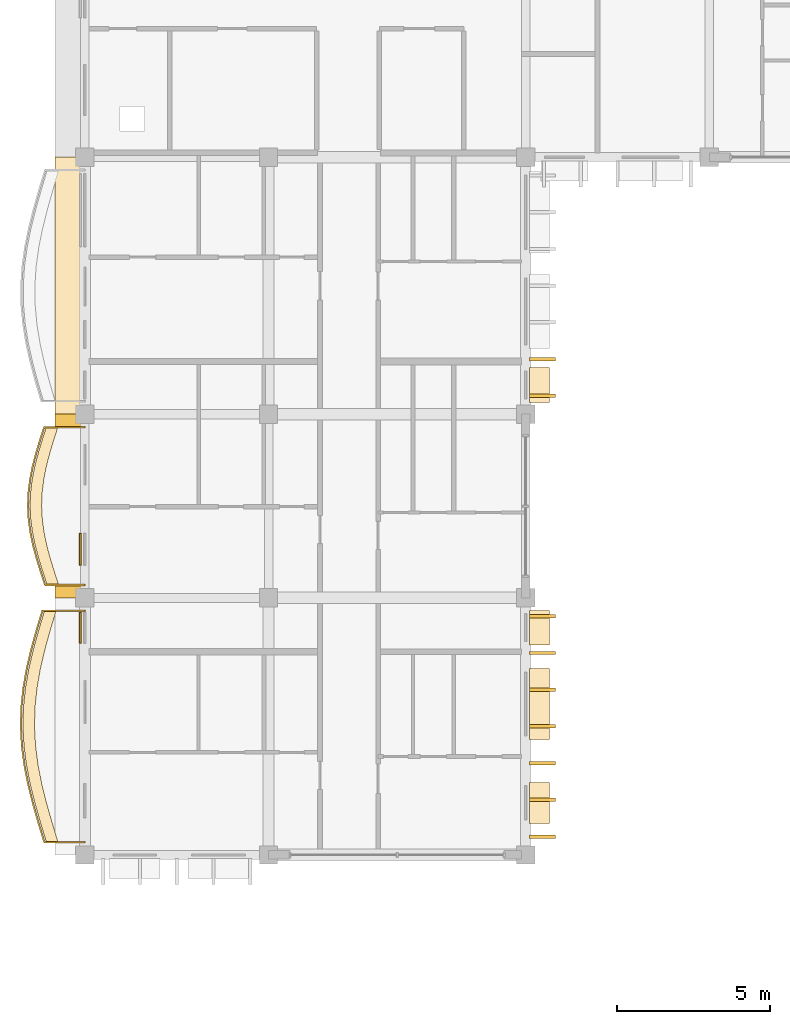
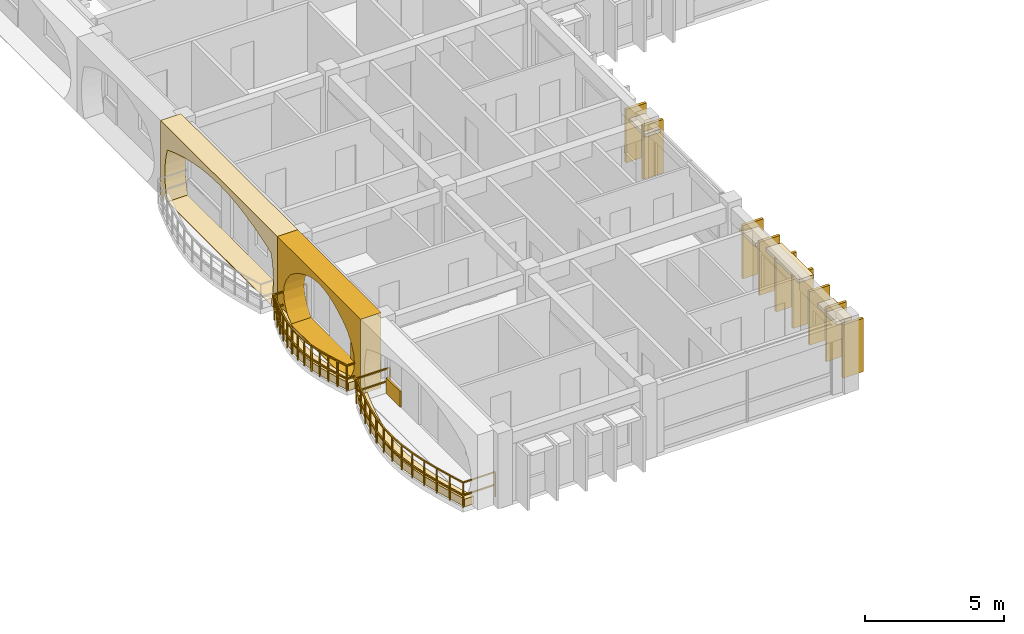
# One storey, part 42 of 54: 19 coverings, 2 railings.
"""IFC4 building model written with IfcOpenShell, lengths in metres."""

from ifc_helpers import new_model, si_unit, direction, frame, origin, origin_2d, place, context, subcontext, project, spatial, polyline, rectangle, outline, extrude, material, layer, layer_set, type_object, element, save


model = new_model("IFC4")

# Units and contexts
model_context = context("Model", 3, precision=1e-05, world=origin(), true_north=direction((0.0, 1.0)))
body_context = subcontext(model_context, "Body", "Model", "MODEL_VIEW")
ifc_project = project(units=[si_unit("LENGTHUNIT", "METRE"), si_unit("AREAUNIT", "SQUARE_METRE"), si_unit("VOLUMEUNIT", "CUBIC_METRE"), si_unit("PLANEANGLEUNIT", "RADIAN"), si_unit("MASSUNIT", "GRAM", prefix="KILO"), si_unit("THERMODYNAMICTEMPERATUREUNIT", "KELVIN")], contexts=[model_context])

# Site, building, storey
site_placement = place(None, origin())
site = spatial("IfcSite", under=ifc_project, at=site_placement, CompositionType="ELEMENT")
building_placement = place(site_placement, origin())
building = spatial("IfcBuilding", under=site, at=building_placement, Name="Thalorik Housing Commons", CompositionType="ELEMENT")
storey_placement = place(building_placement, frame((0.0, 0.0, 31.199951171875)))
storey = spatial("IfcBuildingStorey", under=building, at=storey_placement, Name="L09", CompositionType="ELEMENT", Elevation=31.199951171875)

# Coverings
ifc_material_1 = material(Name="Cobalt blue glazed ceramic facade tile panel", Category="masonry")
ifc_layer_1 = layer(ifc_material_1, 0.06005859375, Name="Cobalt blue glazed ceramic facade tile panel", Category="masonry")
ifc_layer_set_1 = layer_set([ifc_layer_1], Name="Cobalt blue glazed ceramic facade tile panel")
covering_type_1 = type_object("IfcCoveringType", Name="ARC-CLD-BLU-60", PredefinedType="CLADDING", material=ifc_layer_set_1)
covering_1_placement = place(storey_placement, frame((8.242431640625, 96.385009765625, 0.05029296875), z_axis=(0.0, 0.0, 1.0), x_axis=(0.0, -1.0, 0.0)))
element("IfcCovering", 1, at=covering_1_placement, inside=storey, type_object=covering_type_1, Name="L09 De Stijl Recessed Window Spandrel 964", PredefinedType="CLADDING", context=body_context, shape_type="SweptSolid", body=[
    extrude(rectangle(XDim=1.050048828125, YDim=0.06005859375, at=origin_2d()), origin(), (0.0, 0.0, 1.0), 0.699951171875),
])
ifc_material_2 = material(Name="Precast concrete C40/50", Category="concrete")
ifc_layer_2 = layer(ifc_material_2, 0.85009765625, Name="Precast concrete C40/50", Category="concrete")
ifc_layer_set_2 = layer_set([ifc_layer_2], Name="Precast concrete C40/50")
covering_type_2 = type_object("IfcCoveringType", Name="ARC-CLD-CUSH-850", PredefinedType="CLADDING", material=ifc_layer_set_2)
covering_2_placement = place(storey_placement, frame((7.8525390625, 105.0, 0.0), z_axis=(0.0, 0.0, 1.0), x_axis=(0.0, -1.0, 0.0)))
element("IfcCovering", 2, at=covering_2_placement, inside=storey, type_object=covering_type_2, Name="L09 White Precast Curved Cushion Bay Frame 961", PredefinedType="CLADDING", context=body_context, shape_type="SweptSolid", body=[
    extrude(outline(polyline([(-4.199951171875, 0.0), (4.199951171875, 0.0), (4.199951171875, 3.300048828125), (-4.199951171875, 3.300048828125), (-4.199951171875, 0.0)]), holes=[polyline([(3.7451171875, 0.02490234375), (3.841064453125, 0.404296875), (3.898681640625, 0.783203125), (3.91796875, 1.16259765625), (3.898681640625, 1.541748046875), (3.841064453125, 1.9208984375), (3.7451171875, 2.300048828125), (3.123779296875, 2.525390625), (2.50244140625, 2.7021484375), (1.88134765625, 2.845458984375), (1.260009765625, 2.951904296875), (0.638671875, 3.017822265625), (0.017578125, 3.0400390625), (-0.603759765625, 3.017822265625), (-1.22509765625, 2.951904296875), (-1.84619140625, 2.845458984375), (-2.467529296875, 2.7021484375), (-3.0888671875, 2.525390625), (-3.7099609375, 2.300048828125), (-3.8134765625, 1.9208984375), (-3.87548828125, 1.541748046875), (-3.896240234375, 1.16259765625), (-3.87548828125, 0.783203125), (-3.8134765625, 0.404296875), (-3.7099609375, 0.02490234375), (3.7451171875, 0.02490234375)])]), frame((0.0, 0.425048828125, 0.0), z_axis=(0.0, -1.0, 0.0), x_axis=(1.0, 0.0, 0.0)), (0.0, 0.0, 1.0), 0.85009765625),
])
covering_3_placement = place(storey_placement, frame((7.8525390625, 97.800048828125, 0.0), z_axis=(0.0, 0.0, 1.0), x_axis=(0.0, -1.0, 0.0)))
element("IfcCovering", 3, at=covering_3_placement, inside=storey, type_object=covering_type_2, Name="L09 White Precast Curved Cushion Bay Frame 963", PredefinedType="CLADDING", context=body_context, shape_type="SweptSolid", body=[
    extrude(outline(polyline([(-3.0, 0.0), (3.0, 0.0), (3.0, 3.300048828125), (-3.0, 3.300048828125), (-3.0, 0.0)]), holes=[polyline([(2.0400390625, 0.02490234375), (2.3232421875, 0.387451171875), (2.493408203125, 0.75), (2.550048828125, 1.112548828125), (2.493408203125, 1.47509765625), (2.3232421875, 1.83740234375), (2.0400390625, 2.199951171875), (1.69970703125, 2.455810546875), (1.359130859375, 2.656494140625), (1.018798828125, 2.819091796875), (0.67822265625, 2.940185546875), (0.337890625, 3.014892578125), (-0.00244140625, 3.0400390625), (-0.343017578125, 3.014892578125), (-0.683349609375, 2.940185546875), (-1.023681640625, 2.819091796875), (-1.3642578125, 2.656494140625), (-1.70458984375, 2.455810546875), (-2.044921875, 2.199951171875), (-2.32568359375, 1.83740234375), (-2.493896484375, 1.47509765625), (-2.550048828125, 1.112548828125), (-2.493896484375, 0.75), (-2.32568359375, 0.387451171875), (-2.044921875, 0.02490234375), (2.0400390625, 0.02490234375)])]), frame((0.0, 0.425048828125, 0.0), z_axis=(0.0, -1.0, 0.0), x_axis=(1.0, 0.0, 0.0)), (0.0, 0.0, 1.0), 0.85009765625),
])
ifc_layer_3 = layer(ifc_material_2, 0.85009765625, Name="Precast concrete C40/50", Category="concrete")
ifc_layer_set_3 = layer_set([ifc_layer_3], Name="Precast concrete C40/50")
covering_type_3 = type_object("IfcCoveringType", Name="ARC-CLD-FIN-850", PredefinedType="CLADDING", material=ifc_layer_set_3)
for number, where, z_axis, x_axis, name in (
    (4, (23.347412109375, 87.0, 0.0400390625), (0.0, 0.0, 1.0), (0.0, 1.0, 0.0), "L09 Courtyard Precast Vertical Brise-Soleil Fin 974"),
    (5, (23.347412109375, 88.199951171875, 0.0400390625), (0.0, 0.0, 1.0), (0.0, 1.0, 0.0), "L09 Courtyard Precast Vertical Brise-Soleil Fin 975"),
    (6, (23.347412109375, 89.39990234375, 0.0400390625), (0.0, 0.0, 1.0), (0.0, 1.0, 0.0), "L09 Courtyard Precast Vertical Brise-Soleil Fin 976"),
    (7, (23.347412109375, 90.60009765625, 0.0400390625), (0.0, 0.0, 1.0), (0.0, 1.0, 0.0), "L09 Courtyard Precast Vertical Brise-Soleil Fin 977"),
    (8, (23.347412109375, 91.800048828125, 0.0400390625), (0.0, 0.0, 1.0), (0.0, 1.0, 0.0), "L09 Courtyard Precast Vertical Brise-Soleil Fin 978"),
    (9, (23.347412109375, 93.0, 0.0400390625), (0.0, 0.0, 1.0), (0.0, 1.0, 0.0), "L09 Courtyard Precast Vertical Brise-Soleil Fin 979"),
    (10, (23.347412109375, 94.199951171875, 0.0400390625), (0.0, 0.0, 1.0), (0.0, 1.0, 0.0), "L09 Courtyard Precast Vertical Brise-Soleil Fin 980"),
    (11, (23.347412109375, 101.39990234375, 0.0400390625), (0.0, 0.0, 1.0), (0.0, 1.0, 0.0), "L09 Courtyard Precast Vertical Brise-Soleil Fin 984"),
    (12, (23.347412109375, 102.60009765625, 0.0400390625), (0.0, 0.0, 1.0), (0.0, 1.0, 0.0), "L09 Courtyard Precast Vertical Brise-Soleil Fin 985"),
):
    element("IfcCovering", number, at=place(storey_placement, frame(where, z_axis=z_axis, x_axis=x_axis)), inside=storey, type_object=covering_type_3, Name=name, PredefinedType="CLADDING", context=body_context, shape_type="SweptSolid", body=[
        extrude(rectangle(XDim=0.110107421875, YDim=0.85009765625, at=origin_2d()), origin(), (0.0, 0.0, 1.0), 2.344970703125),
    ])
ifc_layer_4 = layer(ifc_material_2, 0.64990234375, Name="Precast concrete C40/50", Category="concrete")
ifc_layer_set_4 = layer_set([ifc_layer_4], Name="Precast concrete C40/50")
covering_type_4 = type_object("IfcCoveringType", Name="ARC-CLD-HOOD-650", PredefinedType="CLADDING", material=ifc_layer_set_4)
covering_4_placement = place(storey_placement, frame((23.24755859375, 88.104248046875, 2.09033203125), z_axis=(0.0, 0.0, 1.0), x_axis=(0.0, 1.0, 0.0)))
element("IfcCovering", 13, at=covering_4_placement, inside=storey, type_object=covering_type_4, Name="L09 Courtyard Precast Window Sun-Hood 981", PredefinedType="CLADDING", context=body_context, shape_type="SweptSolid", body=[
    extrude(rectangle(XDim=1.340087890625, YDim=0.64990234375, at=origin_2d()), origin(), (0.0, 0.0, 1.0), 0.139892578125),
])
covering_5_placement = place(storey_placement, frame((23.24755859375, 91.3291015625, 2.27490234375), z_axis=(0.0, 0.0, 1.0), x_axis=(0.0, 1.0, 0.0)))
element("IfcCovering", 14, at=covering_5_placement, inside=storey, type_object=covering_type_4, Name="L09 Courtyard Precast Window Sun-Hood 982", PredefinedType="CLADDING", context=body_context, shape_type="SweptSolid", body=[
    extrude(rectangle(XDim=2.320068359375, YDim=0.64990234375, at=origin_2d()), origin(), (0.0, 0.0, 1.0), 0.139892578125),
])
for number, where, z_axis, x_axis, name in (
    (15, (23.24755859375, 93.824951171875, 1.990234375), (0.0, 0.0, 1.0), (0.0, 1.0, 0.0), "L09 Courtyard Precast Window Sun-Hood 983"),
    (16, (23.24755859375, 101.7548828125, 1.990234375), (0.0, 0.0, 1.0), (0.0, 1.0, 0.0), "L09 Courtyard Precast Window Sun-Hood 991"),
):
    element("IfcCovering", number, at=place(storey_placement, frame(where, z_axis=z_axis, x_axis=x_axis)), inside=storey, type_object=covering_type_4, Name=name, PredefinedType="CLADDING", context=body_context, shape_type="SweptSolid", body=[
        extrude(rectangle(XDim=1.139892578125, YDim=0.64990234375, at=origin_2d()), origin(), (0.0, 0.0, 1.0), 0.139892578125),
    ])
ifc_material_3 = material(Name="Mineral ochre architectural terracotta panel", Category="masonry")
ifc_layer_5 = layer(ifc_material_3, 0.06494140625, Name="Mineral ochre architectural terracotta panel", Category="masonry")
ifc_layer_set_5 = layer_set([ifc_layer_5], Name="Mineral ochre architectural terracotta panel")
covering_type_5 = type_object("IfcCoveringType", Name="ARC-CLD-YEL-65", PredefinedType="CLADDING", material=ifc_layer_set_5)
covering_6_placement = place(storey_placement, frame((8.239990234375, 93.824951171875, 0.05029296875), z_axis=(0.0, 0.0, 1.0), x_axis=(0.0, -1.0, 0.0)))
element("IfcCovering", 17, at=covering_6_placement, inside=storey, type_object=covering_type_5, Name="L09 De Stijl Recessed Window Spandrel 966", PredefinedType="CLADDING", context=body_context, shape_type="SweptSolid", body=[
    extrude(rectangle(XDim=1.0, YDim=0.06494140625, at=origin_2d()), origin(), (0.0, 0.0, 1.0), 0.699951171875),
])
ifc_material_4 = material(Name="Planted vegetated substrate and terracotta trough", Category="masonry")
ifc_layer_6 = layer(ifc_material_4, 0.340087890625, Name="Planted vegetated substrate and terracotta trough", Category="masonry")
ifc_layer_set_6 = layer_set([ifc_layer_6], Name="Planted vegetated substrate and terracotta trough")
covering_type_6 = type_object("IfcCoveringType", Name="ARC-COV-PLANTER", PredefinedType="USERDEFINED", material=ifc_layer_set_6)
covering_7_placement = place(storey_placement, origin())
element("IfcCovering", 18, at=covering_7_placement, inside=storey, type_object=covering_type_6, Name="L09 Balcony Slab-Edge Planted Trough 5382", ObjectType="PLANTER", PredefinedType="USERDEFINED", context=body_context, shape_type="SweptSolid", body=[
    extrude(outline(polyline([(7.079345703125, 94.3798828125), (6.889892578125, 93.75), (6.71533203125, 93.1201171875), (6.567626953125, 92.489990234375), (6.456787109375, 91.860107421875), (6.390869140625, 91.22998046875), (6.3740234375, 90.60009765625), (6.40771484375, 89.969970703125), (6.489013671875, 89.340087890625), (6.61279296875, 88.7099609375), (6.770263671875, 88.080078125), (6.950439453125, 87.449951171875), (7.140625, 86.820068359375), (7.520751953125, 86.820068359375), (7.330322265625, 87.449951171875), (7.150390625, 88.080078125), (6.992919921875, 88.7099609375), (6.869140625, 89.340087890625), (6.78759765625, 89.969970703125), (6.754150390625, 90.60009765625), (6.77099609375, 91.22998046875), (6.8369140625, 91.860107421875), (6.947509765625, 92.489990234375), (7.095458984375, 93.1201171875), (7.27001953125, 93.75), (7.459228515625, 94.3798828125), (7.079345703125, 94.3798828125)])), origin(), (0.0, 0.0, 1.0), 0.340087890625),
])
covering_8_placement = place(storey_placement, origin())
element("IfcCovering", 19, at=covering_8_placement, inside=storey, type_object=covering_type_6, Name="L09 Balcony Slab-Edge Planted Trough 5383", ObjectType="PLANTER", PredefinedType="USERDEFINED", context=body_context, shape_type="SweptSolid", body=[
    extrude(outline(polyline([(7.1376953125, 100.3798828125), (6.999755859375, 99.949951171875), (6.87060546875, 99.52001953125), (6.759765625, 99.090087890625), (6.675048828125, 98.659912109375), (6.622802734375, 98.22998046875), (6.60693359375, 97.800048828125), (6.628662109375, 97.3701171875), (6.6865234375, 96.93994140625), (6.7763671875, 96.510009765625), (6.891845703125, 96.080078125), (7.02490234375, 95.64990234375), (7.165771484375, 95.219970703125), (7.5458984375, 95.219970703125), (7.40478515625, 95.64990234375), (7.27197265625, 96.080078125), (7.15625, 96.510009765625), (7.06640625, 96.93994140625), (7.0087890625, 97.3701171875), (6.987060546875, 97.800048828125), (7.0029296875, 98.22998046875), (7.05517578125, 98.659912109375), (7.1396484375, 99.090087890625), (7.250732421875, 99.52001953125), (7.3798828125, 99.949951171875), (7.517822265625, 100.3798828125), (7.1376953125, 100.3798828125)])), origin(), (0.0, 0.0, 1.0), 0.340087890625),
])

# Railings
ifc_material_5 = material(Name="Steel S355", Category="steel")
railing_type_1 = type_object("IfcRailingType", Name="ARC-RL-BAL-112", PredefinedType="BALUSTRADE", material=ifc_material_5)
railing_1_placement = place(storey_placement, frame((8.39990234375, 94.3798828125, 0.0)))
element("IfcRailing", 20, at=railing_1_placement, inside=storey, type_object=railing_type_1, Name="L09 Cushion Balcony Guardrail 66", PredefinedType="BALUSTRADE", context=body_context, shape_type="SweptSolid", body=[
    extrude(rectangle(XDim=0.050048828125, YDim=0.050048828125, at=origin_2d()), frame((0.0, 0.0, 1.09521484375), z_axis=(-1.0, 0.0, 0.0), x_axis=(0.0, -1.0, 0.0)), (0.0, 0.0, 1.0), 1.390625),
    extrude(rectangle(XDim=0.050048828125, YDim=0.050048828125, at=origin_2d()), frame((0.0, 0.0, 0.53515625), z_axis=(-1.0, 0.0, 0.0), x_axis=(0.0, -1.0, 0.0)), (0.0, 0.0, 1.0), 1.390625),
    extrude(rectangle(XDim=0.050048828125, YDim=0.050048828125, at=origin_2d()), frame((-1.390625, 0.0, 1.09521484375), z_axis=(-0.287688427839, -0.957724056546, 0.0), x_axis=(0.957724056546, -0.287688427839, 0.0)), (0.0, 0.0, 1.0), 0.65771484375),
    extrude(rectangle(XDim=0.050048828125, YDim=0.050048828125, at=origin_2d()), frame((-1.390625, 0.0, 0.53515625), z_axis=(-0.287688427839, -0.957724056546, 0.0), x_axis=(0.957724056546, -0.287688427839, 0.0)), (0.0, 0.0, 1.0), 0.65771484375),
    extrude(rectangle(XDim=0.050048828125, YDim=0.050048828125, at=origin_2d()), frame((-1.579833984375, -0.6298828125, 1.09521484375), z_axis=(-0.267065878379, -0.963678274429, 0.0), x_axis=(0.963678274429, -0.267065878379, 0.0)), (0.0, 0.0, 1.0), 0.653564453125),
    extrude(rectangle(XDim=0.050048828125, YDim=0.050048828125, at=origin_2d()), frame((-1.579833984375, -0.6298828125, 0.53515625), z_axis=(-0.267065878379, -0.963678274429, 0.0), x_axis=(0.963678274429, -0.267065878379, 0.0)), (0.0, 0.0, 1.0), 0.653564453125),
    extrude(rectangle(XDim=0.050048828125, YDim=0.050048828125, at=origin_2d()), frame((-1.75439453125, -1.259765625, 1.09521484375), z_axis=(-0.228576787076, -0.973525886872, 0.0), x_axis=(0.973525886872, -0.228576787076, 0.0)), (0.0, 0.0, 1.0), 0.647216796875),
    extrude(rectangle(XDim=0.050048828125, YDim=0.050048828125, at=origin_2d()), frame((-1.75439453125, -1.259765625, 0.53515625), z_axis=(-0.228576787076, -0.973525886872, 0.0), x_axis=(0.973525886872, -0.228576787076, 0.0)), (0.0, 0.0, 1.0), 0.647216796875),
    extrude(rectangle(XDim=0.050048828125, YDim=0.050048828125, at=origin_2d()), frame((-1.90234375, -1.889892578125, 1.09521484375), z_axis=(-0.172935923987, -0.984933077013, 0.0), x_axis=(0.984933077013, -0.172935923987, 0.0)), (0.0, 0.0, 1.0), 0.639404296875),
    extrude(rectangle(XDim=0.050048828125, YDim=0.050048828125, at=origin_2d()), frame((-1.90234375, -1.889892578125, 0.53515625), z_axis=(-0.172935923987, -0.984933077013, 0.0), x_axis=(0.984933077013, -0.172935923987, 0.0)), (0.0, 0.0, 1.0), 0.639404296875),
    extrude(rectangle(XDim=0.050048828125, YDim=0.050048828125, at=origin_2d()), frame((-2.012939453125, -2.519775390625, 1.09521484375), z_axis=(-0.104424024371, -0.994532866794, 0.0), x_axis=(0.994532866794, -0.104424024371, 0.0)), (0.0, 0.0, 1.0), 0.633544921875),
    extrude(rectangle(XDim=0.050048828125, YDim=0.050048828125, at=origin_2d()), frame((-2.012939453125, -2.519775390625, 0.53515625), z_axis=(-0.104424024371, -0.994532866794, 0.0), x_axis=(0.994532866794, -0.104424024371, 0.0)), (0.0, 0.0, 1.0), 0.633544921875),
    extrude(rectangle(XDim=0.050048828125, YDim=0.050048828125, at=origin_2d()), frame((-2.0791015625, -3.14990234375, 1.09521484375), z_axis=(-0.026347439351, -0.999652845962, 0.0), x_axis=(0.999652845962, -0.026347439351, 0.0)), (0.0, 0.0, 1.0), 0.630126953125),
    extrude(rectangle(XDim=0.050048828125, YDim=0.050048828125, at=origin_2d()), frame((-2.0791015625, -3.14990234375, 0.53515625), z_axis=(-0.026347439351, -0.999652845962, 0.0), x_axis=(0.999652845962, -0.026347439351, 0.0)), (0.0, 0.0, 1.0), 0.630126953125),
    extrude(rectangle(XDim=0.050048828125, YDim=0.050048828125, at=origin_2d()), frame((-2.095703125, -3.77978515625, 1.09521484375), z_axis=(0.053005582175, -0.998594216015, 0.0), x_axis=(0.998594216015, 0.053005582175, 0.0)), (0.0, 0.0, 1.0), 0.631103515625),
    extrude(rectangle(XDim=0.050048828125, YDim=0.050048828125, at=origin_2d()), frame((-2.095703125, -3.77978515625, 0.53515625), z_axis=(0.053005582175, -0.998594216015, 0.0), x_axis=(0.998594216015, 0.053005582175, 0.0)), (0.0, 0.0, 1.0), 0.631103515625),
    extrude(rectangle(XDim=0.050048828125, YDim=0.050048828125, at=origin_2d()), frame((-2.062255859375, -4.409912109375, 1.09521484375), z_axis=(0.128386010448, -0.991724272326, 0.0), x_axis=(0.991724272326, 0.128386010448, 0.0)), (0.0, 0.0, 1.0), 0.63525390625),
    extrude(rectangle(XDim=0.050048828125, YDim=0.050048828125, at=origin_2d()), frame((-2.062255859375, -4.409912109375, 0.53515625), z_axis=(0.128386010448, -0.991724272326, 0.0), x_axis=(0.991724272326, 0.128386010448, 0.0)), (0.0, 0.0, 1.0), 0.63525390625),
    extrude(rectangle(XDim=0.050048828125, YDim=0.050048828125, at=origin_2d()), frame((-1.980712890625, -5.039794921875, 1.09521484375), z_axis=(0.192385744373, -0.981319379897, 0.0), x_axis=(0.981319379897, 0.192385744373, 0.0)), (0.0, 0.0, 1.0), 0.64208984375),
    extrude(rectangle(XDim=0.050048828125, YDim=0.050048828125, at=origin_2d()), frame((-1.980712890625, -5.039794921875, 0.53515625), z_axis=(0.192385744373, -0.981319379897, 0.0), x_axis=(0.981319379897, 0.192385744373, 0.0)), (0.0, 0.0, 1.0), 0.64208984375),
    extrude(rectangle(XDim=0.050048828125, YDim=0.050048828125, at=origin_2d()), frame((-1.857177734375, -5.669921875, 1.09521484375), z_axis=(0.242535625036, -0.970142500145, 0.0), x_axis=(0.970142500145, 0.242535625036, 0.0)), (0.0, 0.0, 1.0), 0.649169921875),
    extrude(rectangle(XDim=0.050048828125, YDim=0.050048828125, at=origin_2d()), frame((-1.857177734375, -5.669921875, 0.53515625), z_axis=(0.242535625036, -0.970142500145, 0.0), x_axis=(0.970142500145, 0.242535625036, 0.0)), (0.0, 0.0, 1.0), 0.649169921875),
    extrude(rectangle(XDim=0.050048828125, YDim=0.050048828125, at=origin_2d()), frame((-1.69970703125, -6.2998046875, 1.09521484375), z_axis=(0.274917923847, -0.961467698442, 0.0), x_axis=(0.961467698442, 0.274917923847, 0.0)), (0.0, 0.0, 1.0), 0.6552734375),
    extrude(rectangle(XDim=0.050048828125, YDim=0.050048828125, at=origin_2d()), frame((-1.69970703125, -6.2998046875, 0.53515625), z_axis=(0.274917923847, -0.961467698442, 0.0), x_axis=(0.961467698442, 0.274917923847, 0.0)), (0.0, 0.0, 1.0), 0.6552734375),
    extrude(rectangle(XDim=0.050048828125, YDim=0.050048828125, at=origin_2d()), frame((-1.51953125, -6.929931640625, 1.09521484375), z_axis=(0.289389501276, -0.957211427299, 0.0), x_axis=(0.957211427299, 0.289389501276, 0.0)), (0.0, 0.0, 1.0), 0.657958984375),
    extrude(rectangle(XDim=0.050048828125, YDim=0.050048828125, at=origin_2d()), frame((-1.51953125, -6.929931640625, 0.53515625), z_axis=(0.289389501276, -0.957211427299, 0.0), x_axis=(0.957211427299, 0.289389501276, 0.0)), (0.0, 0.0, 1.0), 0.657958984375),
    extrude(rectangle(XDim=0.050048828125, YDim=0.050048828125, at=origin_2d()), frame((-1.3291015625, -7.559814453125, 1.09521484375), z_axis=(1.0, 0.0, 0.0), x_axis=(0.0, 1.0, 0.0)), (0.0, 0.0, 1.0), 1.3291015625),
    extrude(rectangle(XDim=0.050048828125, YDim=0.050048828125, at=origin_2d()), frame((-1.3291015625, -7.559814453125, 0.53515625), z_axis=(1.0, 0.0, 0.0), x_axis=(0.0, 1.0, 0.0)), (0.0, 0.0, 1.0), 1.3291015625),
    extrude(rectangle(XDim=0.0419921875, YDim=0.0419921875, at=origin_2d()), origin(), (0.0, 0.0, 1.0), 1.070068359375),
    extrude(rectangle(XDim=0.0419921875, YDim=0.0419921875, at=origin_2d()), frame((-1.390625, 0.0, 0.0)), (0.0, 0.0, 1.0), 1.070068359375),
    extrude(rectangle(XDim=0.0419921875, YDim=0.0419921875, at=origin_2d()), frame((-1.579833984375, -0.6298828125, 0.0)), (0.0, 0.0, 1.0), 1.070068359375),
    extrude(rectangle(XDim=0.0419921875, YDim=0.0419921875, at=origin_2d()), frame((-1.75439453125, -1.259765625, 0.0)), (0.0, 0.0, 1.0), 1.070068359375),
    extrude(rectangle(XDim=0.0419921875, YDim=0.0419921875, at=origin_2d()), frame((-1.90234375, -1.889892578125, 0.0)), (0.0, 0.0, 1.0), 1.070068359375),
    extrude(rectangle(XDim=0.0419921875, YDim=0.0419921875, at=origin_2d()), frame((-2.012939453125, -2.519775390625, 0.0)), (0.0, 0.0, 1.0), 1.070068359375),
    extrude(rectangle(XDim=0.0419921875, YDim=0.0419921875, at=origin_2d()), frame((-2.0791015625, -3.14990234375, 0.0)), (0.0, 0.0, 1.0), 1.070068359375),
    extrude(rectangle(XDim=0.0419921875, YDim=0.0419921875, at=origin_2d()), frame((-2.095703125, -3.77978515625, 0.0)), (0.0, 0.0, 1.0), 1.070068359375),
    extrude(rectangle(XDim=0.0419921875, YDim=0.0419921875, at=origin_2d()), frame((-2.062255859375, -4.409912109375, 0.0)), (0.0, 0.0, 1.0), 1.070068359375),
    extrude(rectangle(XDim=0.0419921875, YDim=0.0419921875, at=origin_2d()), frame((-1.980712890625, -5.039794921875, 0.0)), (0.0, 0.0, 1.0), 1.070068359375),
    extrude(rectangle(XDim=0.0419921875, YDim=0.0419921875, at=origin_2d()), frame((-1.857177734375, -5.669921875, 0.0)), (0.0, 0.0, 1.0), 1.070068359375),
    extrude(rectangle(XDim=0.0419921875, YDim=0.0419921875, at=origin_2d()), frame((-1.69970703125, -6.2998046875, 0.0)), (0.0, 0.0, 1.0), 1.070068359375),
    extrude(rectangle(XDim=0.0419921875, YDim=0.0419921875, at=origin_2d()), frame((-1.51953125, -6.929931640625, 0.0)), (0.0, 0.0, 1.0), 1.070068359375),
    extrude(rectangle(XDim=0.0419921875, YDim=0.0419921875, at=origin_2d()), frame((-1.3291015625, -7.559814453125, 0.0)), (0.0, 0.0, 1.0), 1.070068359375),
    extrude(rectangle(XDim=0.0419921875, YDim=0.0419921875, at=origin_2d()), frame((0.0, -7.559814453125, 0.0)), (0.0, 0.0, 1.0), 1.070068359375),
])
railing_type_2 = type_object("IfcRailingType", Name="ARC-RL-BAL-115", PredefinedType="BALUSTRADE", material=ifc_material_5)
railing_2_placement = place(storey_placement, frame((8.39990234375, 100.3798828125, 0.0)))
element("IfcRailing", 21, at=railing_2_placement, inside=storey, type_object=railing_type_2, Name="L09 Cushion Balcony Guardrail 67", PredefinedType="BALUSTRADE", context=body_context, shape_type="SweptSolid", body=[
    extrude(rectangle(XDim=0.050048828125, YDim=0.050048828125, at=origin_2d()), frame((0.0, 0.0, 1.125), z_axis=(-1.0, 0.0, 0.0), x_axis=(0.0, -1.0, 0.0)), (0.0, 0.0, 1.0), 1.33203125),
    extrude(rectangle(XDim=0.050048828125, YDim=0.050048828125, at=origin_2d()), frame((0.0, 0.0, 0.5498046875), z_axis=(-1.0, 0.0, 0.0), x_axis=(0.0, -1.0, 0.0)), (0.0, 0.0, 1.0), 1.33203125),
    extrude(rectangle(XDim=0.050048828125, YDim=0.050048828125, at=origin_2d()), frame((-1.33203125, 0.0, 1.125), z_axis=(-0.30599168048, -0.952034186086, 0.0), x_axis=(0.952034186086, -0.30599168048, 0.0)), (0.0, 0.0, 1.0), 0.45166015625),
    extrude(rectangle(XDim=0.050048828125, YDim=0.050048828125, at=origin_2d()), frame((-1.33203125, 0.0, 0.5498046875), z_axis=(-0.30599168048, -0.952034186086, 0.0), x_axis=(0.952034186086, -0.30599168048, 0.0)), (0.0, 0.0, 1.0), 0.45166015625),
    extrude(rectangle(XDim=0.050048828125, YDim=0.050048828125, at=origin_2d()), frame((-1.47021484375, -0.429931640625, 1.125), z_axis=(-0.287198174918, -0.957871185663, 0.0), x_axis=(0.957871185663, -0.287198174918, 0.0)), (0.0, 0.0, 1.0), 0.44873046875),
    extrude(rectangle(XDim=0.050048828125, YDim=0.050048828125, at=origin_2d()), frame((-1.47021484375, -0.429931640625, 0.5498046875), z_axis=(-0.287198174918, -0.957871185663, 0.0), x_axis=(0.957871185663, -0.287198174918, 0.0)), (0.0, 0.0, 1.0), 0.44873046875),
    extrude(rectangle(XDim=0.050048828125, YDim=0.050048828125, at=origin_2d()), frame((-1.59912109375, -0.85986328125, 1.125), z_axis=(-0.250160687939, -0.968204332881, 0.0), x_axis=(0.968204332881, -0.250160687939, 0.0)), (0.0, 0.0, 1.0), 0.444091796875),
    extrude(rectangle(XDim=0.050048828125, YDim=0.050048828125, at=origin_2d()), frame((-1.59912109375, -0.85986328125, 0.5498046875), z_axis=(-0.250160687939, -0.968204332881, 0.0), x_axis=(0.968204332881, -0.250160687939, 0.0)), (0.0, 0.0, 1.0), 0.444091796875),
    extrude(rectangle(XDim=0.050048828125, YDim=0.050048828125, at=origin_2d()), frame((-1.710205078125, -1.289794921875, 1.125), z_axis=(-0.193223990372, -0.981154671571, 0.0), x_axis=(0.981154671571, -0.193223990372, 0.0)), (0.0, 0.0, 1.0), 0.4384765625),
    extrude(rectangle(XDim=0.050048828125, YDim=0.050048828125, at=origin_2d()), frame((-1.710205078125, -1.289794921875, 0.5498046875), z_axis=(-0.193223990372, -0.981154671571, 0.0), x_axis=(0.981154671571, -0.193223990372, 0.0)), (0.0, 0.0, 1.0), 0.4384765625),
    extrude(rectangle(XDim=0.050048828125, YDim=0.050048828125, at=origin_2d()), frame((-1.794921875, -1.719970703125, 1.125), z_axis=(-0.120078823878, -0.992764360791, 0.0), x_axis=(0.992764360791, -0.120078823878, 0.0)), (0.0, 0.0, 1.0), 0.43310546875),
    extrude(rectangle(XDim=0.050048828125, YDim=0.050048828125, at=origin_2d()), frame((-1.794921875, -1.719970703125, 0.5498046875), z_axis=(-0.120078823878, -0.992764360791, 0.0), x_axis=(0.992764360791, -0.120078823878, 0.0)), (0.0, 0.0, 1.0), 0.43310546875),
    extrude(rectangle(XDim=0.050048828125, YDim=0.050048828125, at=origin_2d()), frame((-1.846923828125, -2.14990234375, 1.125), z_axis=(-0.03688572791, -0.999319489991, 0.0), x_axis=(0.999319489991, -0.03688572791, 0.0)), (0.0, 0.0, 1.0), 0.43017578125),
    extrude(rectangle(XDim=0.050048828125, YDim=0.050048828125, at=origin_2d()), frame((-1.846923828125, -2.14990234375, 0.5498046875), z_axis=(-0.03688572791, -0.999319489991, 0.0), x_axis=(0.999319489991, -0.03688572791, 0.0)), (0.0, 0.0, 1.0), 0.43017578125),
    extrude(rectangle(XDim=0.050048828125, YDim=0.050048828125, at=origin_2d()), frame((-1.86279296875, -2.579833984375, 1.125), z_axis=(0.049909330067, -0.99875375282, 0.0), x_axis=(0.99875375282, 0.049909330067, 0.0)), (0.0, 0.0, 1.0), 0.430419921875),
    extrude(rectangle(XDim=0.050048828125, YDim=0.050048828125, at=origin_2d()), frame((-1.86279296875, -2.579833984375, 0.5498046875), z_axis=(0.049909330067, -0.99875375282, 0.0), x_axis=(0.99875375282, 0.049909330067, 0.0)), (0.0, 0.0, 1.0), 0.430419921875),
    extrude(rectangle(XDim=0.050048828125, YDim=0.050048828125, at=origin_2d()), frame((-1.84130859375, -3.009765625, 1.125), z_axis=(0.13330576901, -0.991074957785, 0.0), x_axis=(0.991074957785, 0.13330576901, 0.0)), (0.0, 0.0, 1.0), 0.43408203125),
    extrude(rectangle(XDim=0.050048828125, YDim=0.050048828125, at=origin_2d()), frame((-1.84130859375, -3.009765625, 0.5498046875), z_axis=(0.13330576901, -0.991074957785, 0.0), x_axis=(0.991074957785, 0.13330576901, 0.0)), (0.0, 0.0, 1.0), 0.43408203125),
    extrude(rectangle(XDim=0.050048828125, YDim=0.050048828125, at=origin_2d()), frame((-1.783447265625, -3.43994140625, 1.125), z_axis=(0.204553537188, -0.978855377686, 0.0), x_axis=(0.978855377686, 0.204553537188, 0.0)), (0.0, 0.0, 1.0), 0.439208984375),
    extrude(rectangle(XDim=0.050048828125, YDim=0.050048828125, at=origin_2d()), frame((-1.783447265625, -3.43994140625, 0.5498046875), z_axis=(0.204553537188, -0.978855377686, 0.0), x_axis=(0.978855377686, 0.204553537188, 0.0)), (0.0, 0.0, 1.0), 0.439208984375),
    extrude(rectangle(XDim=0.050048828125, YDim=0.050048828125, at=origin_2d()), frame((-1.693603515625, -3.869873046875, 1.125), z_axis=(0.259914478843, -0.965631639751, 0.0), x_axis=(0.965631639751, 0.259914478843, 0.0)), (0.0, 0.0, 1.0), 0.4453125),
    extrude(rectangle(XDim=0.050048828125, YDim=0.050048828125, at=origin_2d()), frame((-1.693603515625, -3.869873046875, 0.5498046875), z_axis=(0.259914478843, -0.965631639751, 0.0), x_axis=(0.965631639751, 0.259914478843, 0.0)), (0.0, 0.0, 1.0), 0.4453125),
    extrude(rectangle(XDim=0.050048828125, YDim=0.050048828125, at=origin_2d()), frame((-1.577880859375, -4.2998046875, 1.125), z_axis=(0.295000261919, -0.955497171878, 0.0), x_axis=(0.955497171878, 0.295000261919, 0.0)), (0.0, 0.0, 1.0), 0.4501953125),
    extrude(rectangle(XDim=0.050048828125, YDim=0.050048828125, at=origin_2d()), frame((-1.577880859375, -4.2998046875, 0.5498046875), z_axis=(0.295000261919, -0.955497171878, 0.0), x_axis=(0.955497171878, 0.295000261919, 0.0)), (0.0, 0.0, 1.0), 0.4501953125),
    extrude(rectangle(XDim=0.050048828125, YDim=0.050048828125, at=origin_2d()), frame((-1.445068359375, -4.72998046875, 1.125), z_axis=(0.311366945332, -0.950289758629, 0.0), x_axis=(0.950289758629, 0.311366945332, 0.0)), (0.0, 0.0, 1.0), 0.452392578125),
    extrude(rectangle(XDim=0.050048828125, YDim=0.050048828125, at=origin_2d()), frame((-1.445068359375, -4.72998046875, 0.5498046875), z_axis=(0.311366945332, -0.950289758629, 0.0), x_axis=(0.950289758629, 0.311366945332, 0.0)), (0.0, 0.0, 1.0), 0.452392578125),
    extrude(rectangle(XDim=0.050048828125, YDim=0.050048828125, at=origin_2d()), frame((-1.30419921875, -5.159912109375, 1.125), z_axis=(1.0, 0.0, 0.0), x_axis=(0.0, 1.0, 0.0)), (0.0, 0.0, 1.0), 1.30419921875),
    extrude(rectangle(XDim=0.050048828125, YDim=0.050048828125, at=origin_2d()), frame((-1.30419921875, -5.159912109375, 0.5498046875), z_axis=(1.0, 0.0, 0.0), x_axis=(0.0, 1.0, 0.0)), (0.0, 0.0, 1.0), 1.30419921875),
    extrude(rectangle(XDim=0.0419921875, YDim=0.0419921875, at=origin_2d()), origin(), (0.0, 0.0, 1.0), 1.099853515625),
    extrude(rectangle(XDim=0.0419921875, YDim=0.0419921875, at=origin_2d()), frame((-1.33203125, 0.0, 0.0)), (0.0, 0.0, 1.0), 1.099853515625),
    extrude(rectangle(XDim=0.0419921875, YDim=0.0419921875, at=origin_2d()), frame((-1.47021484375, -0.429931640625, 0.0)), (0.0, 0.0, 1.0), 1.099853515625),
    extrude(rectangle(XDim=0.0419921875, YDim=0.0419921875, at=origin_2d()), frame((-1.59912109375, -0.85986328125, 0.0)), (0.0, 0.0, 1.0), 1.099853515625),
    extrude(rectangle(XDim=0.0419921875, YDim=0.0419921875, at=origin_2d()), frame((-1.710205078125, -1.289794921875, 0.0)), (0.0, 0.0, 1.0), 1.099853515625),
    extrude(rectangle(XDim=0.0419921875, YDim=0.0419921875, at=origin_2d()), frame((-1.794921875, -1.719970703125, 0.0)), (0.0, 0.0, 1.0), 1.099853515625),
    extrude(rectangle(XDim=0.0419921875, YDim=0.0419921875, at=origin_2d()), frame((-1.846923828125, -2.14990234375, 0.0)), (0.0, 0.0, 1.0), 1.099853515625),
    extrude(rectangle(XDim=0.0419921875, YDim=0.0419921875, at=origin_2d()), frame((-1.86279296875, -2.579833984375, 0.0)), (0.0, 0.0, 1.0), 1.099853515625),
    extrude(rectangle(XDim=0.0419921875, YDim=0.0419921875, at=origin_2d()), frame((-1.84130859375, -3.009765625, 0.0)), (0.0, 0.0, 1.0), 1.099853515625),
    extrude(rectangle(XDim=0.0419921875, YDim=0.0419921875, at=origin_2d()), frame((-1.783447265625, -3.43994140625, 0.0)), (0.0, 0.0, 1.0), 1.099853515625),
    extrude(rectangle(XDim=0.0419921875, YDim=0.0419921875, at=origin_2d()), frame((-1.693603515625, -3.869873046875, 0.0)), (0.0, 0.0, 1.0), 1.099853515625),
    extrude(rectangle(XDim=0.0419921875, YDim=0.0419921875, at=origin_2d()), frame((-1.577880859375, -4.2998046875, 0.0)), (0.0, 0.0, 1.0), 1.099853515625),
    extrude(rectangle(XDim=0.0419921875, YDim=0.0419921875, at=origin_2d()), frame((-1.445068359375, -4.72998046875, 0.0)), (0.0, 0.0, 1.0), 1.099853515625),
    extrude(rectangle(XDim=0.0419921875, YDim=0.0419921875, at=origin_2d()), frame((-1.30419921875, -5.159912109375, 0.0)), (0.0, 0.0, 1.0), 1.099853515625),
    extrude(rectangle(XDim=0.0419921875, YDim=0.0419921875, at=origin_2d()), frame((0.0, -5.159912109375, 0.0)), (0.0, 0.0, 1.0), 1.099853515625),
])

save(model, "model.ifc")
